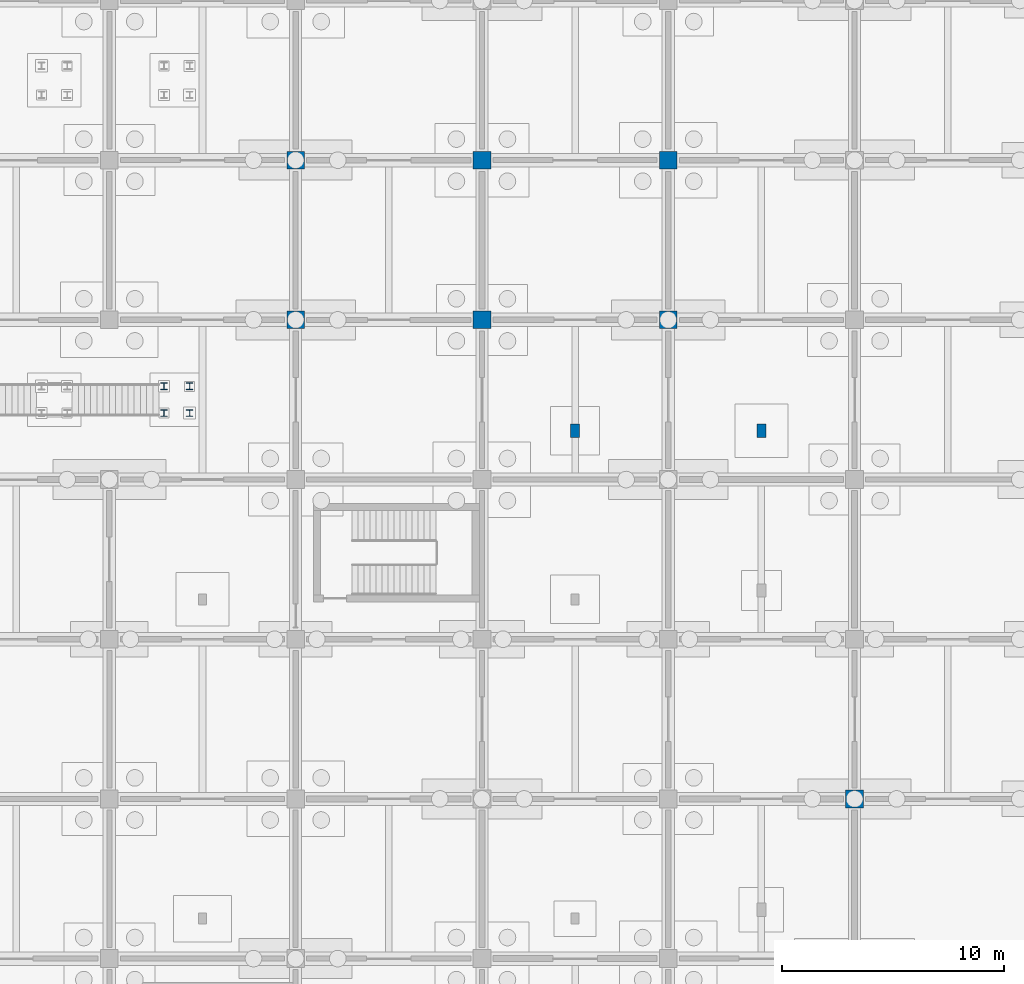
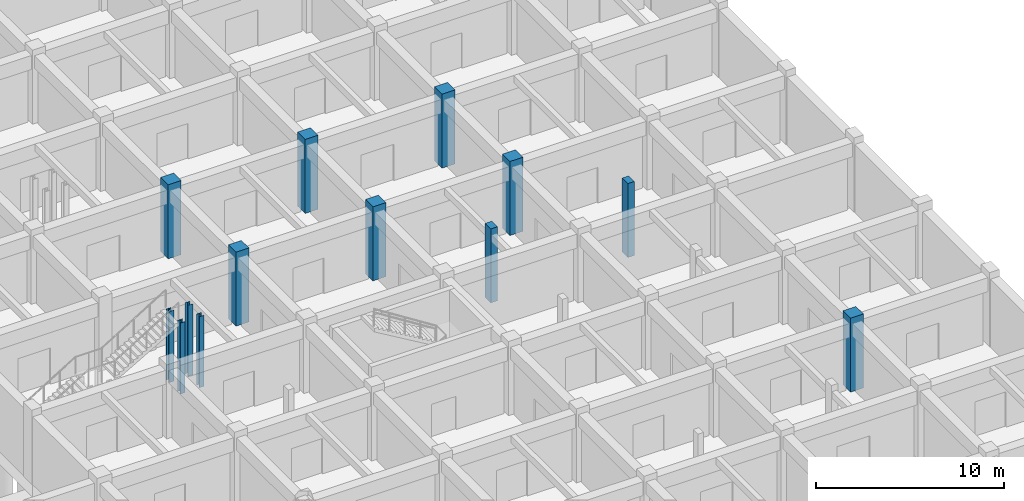
# One storey, part 14 of 38: 13 columns.
"""IFC4 building model written with IfcOpenShell, lengths in metres."""

from ifc_helpers import new_model, si_unit, derived_unit, direction, frame, origin, origin_2d, place, context, subcontext, project, spatial, rectangle, i_section, extrude, material, material_profile, profile_set, type_object, element, save


model = new_model("IFC4")

# Units and contexts
model_context = context("Model", 3, precision=1e-05, world=origin(), true_north=direction((0.0, 1.0)))
body_context = subcontext(model_context, "Body", "Model", "MODEL_VIEW")
ifc_project = project(units=[si_unit("LENGTHUNIT", "METRE"), si_unit("AREAUNIT", "SQUARE_METRE"), si_unit("VOLUMEUNIT", "CUBIC_METRE"), si_unit("PLANEANGLEUNIT", "RADIAN"), si_unit("MASSUNIT", "GRAM", prefix="KILO"), derived_unit("THERMALTRANSMITTANCEUNIT", [(si_unit("MASSUNIT", "GRAM", prefix="KILO"), 1), (si_unit("TIMEUNIT", "SECOND"), -3), (si_unit("THERMODYNAMICTEMPERATUREUNIT", "KELVIN"), -1)])], contexts=[model_context])

# Site, building, storey
site_placement = place(None, origin())
site = spatial("IfcSite", under=ifc_project, at=site_placement, CompositionType="ELEMENT")
building_placement = place(site_placement, origin())
building = spatial("IfcBuilding", under=site, at=building_placement, Name="Veldstrom Oceanarium and Marine Research Institute", CompositionType="ELEMENT")
storey_placement = place(building_placement, frame((0.0, 0.0, -9.60009765625)))
storey = spatial("IfcBuildingStorey", under=building, at=storey_placement, Name="B02", CompositionType="ELEMENT", Elevation=-9.60009765625)

# Columns
ifc_material_1 = material(Name="Concrete C50/60", Category="concrete")
ifc_material_profile_1 = material_profile(ifc_material_1, rectangle(XDim=0.800048828125, YDim=0.800048828125, at=origin_2d()), Name="RC-COL-800x800")
ifc_profile_set_1 = profile_set([ifc_material_profile_1], Name="Concrete C50/60")
column_type_1 = type_object("IfcColumnType", Name="STR-COL-C04", PredefinedType="COLUMN", material=ifc_profile_set_1)
for number, where, z_axis, x_axis, name in (
    (1, (134.39990234375, 86.39990234375, 0.0), (0.0, 0.0, 1.0), (1.0, 0.0, 0.0), "Column C04 17/N B02"),
    (2, (134.39990234375, 93.60009765625, 0.0), (0.0, 0.0, 1.0), (1.0, 0.0, 0.0), "Column C04 17/P B02"),
    (3, (142.800048828125, 86.39990234375, 0.0), (0.0, 0.0, 1.0), (1.0, 0.0, 0.0), "Column C04 18/N B02"),
    (4, (142.800048828125, 93.60009765625, 0.0), (0.0, 0.0, 1.0), (1.0, 0.0, 0.0), "Column C04 18/P B02"),
    (5, (151.199951171875, 86.39990234375, 0.0), (0.0, 0.0, 1.0), (1.0, 0.0, 0.0), "Column C04 19/N B02"),
    (6, (151.199951171875, 93.60009765625, 0.0), (0.0, 0.0, 1.0), (1.0, 0.0, 0.0), "Column C04 19/P B02"),
    (7, (159.60009765625, 64.800048828125, 0.0), (0.0, 0.0, 1.0), (1.0, 0.0, 0.0), "Column C04 20/K B02"),
):
    element("IfcColumn", number, at=place(storey_placement, frame(where, z_axis=z_axis, x_axis=x_axis)), inside=storey, type_object=column_type_1, Name=name, PredefinedType="COLUMN", context=body_context, shape_type="SweptSolid", body=[
        extrude(rectangle(XDim=0.800048828125, YDim=0.800048828125, at=origin_2d()), origin(), (0.0, 0.0, 1.0), 4.800048828125),
    ])
ifc_material_2 = material(Name="Steel S355JR", Category="steel")
ifc_material_profile_2 = material_profile(ifc_material_2, i_section(OverallWidth=0.300048828125, OverallDepth=0.300048828125, WebThickness=0.010986328125, FlangeThickness=0.01904296875, FilletRadius=0.027099609375, at=origin_2d()), Name="HEB 300")
ifc_profile_set_2 = profile_set([ifc_material_profile_2], Name="Steel S355JR")
column_type_2 = type_object("IfcColumnType", Name="STR-COL-C16", PredefinedType="COLUMN", material=ifc_profile_set_2)
for number, where, z_axis, x_axis, name in (
    (8, (128.4599609375, 82.195068359375, 0.0), (0.0, 0.0, 1.0), (1.0, 0.0, 0.0), "Gallery Stair TOP Column ST5-03-1"),
    (9, (129.6201171875, 82.195068359375, 0.0), (0.0, 0.0, 1.0), (1.0, 0.0, 0.0), "Gallery Stair TOP Column ST5-03-2"),
    (10, (128.4599609375, 83.405029296875, 0.0), (0.0, 0.0, 1.0), (1.0, 0.0, 0.0), "Gallery Stair TOP Column ST5-03-3"),
    (11, (129.6201171875, 83.405029296875, 0.0), (0.0, 0.0, 1.0), (1.0, 0.0, 0.0), "Gallery Stair TOP Column ST5-03-4"),
):
    element("IfcColumn", number, at=place(storey_placement, frame(where, z_axis=z_axis, x_axis=x_axis)), inside=storey, type_object=column_type_2, Name=name, PredefinedType="COLUMN", context=body_context, shape_type="SweptSolid", body=[
        extrude(i_section(OverallWidth=0.300048828125, OverallDepth=0.300048828125, WebThickness=0.010986328125, FlangeThickness=0.01904296875, FilletRadius=0.027099609375, at=origin_2d()), origin(), (0.0, 0.0, 1.0), 4.60009765625),
    ])
ifc_material_3 = material(Name="Concrete C50/60", Category="concrete")
ifc_material_profile_3 = material_profile(ifc_material_3, rectangle(XDim=0.39990234375, YDim=0.60009765625, at=origin_2d()), Name="RC-PIL-600x400")
ifc_profile_set_3 = profile_set([ifc_material_profile_3], Name="Concrete C50/60")
column_type_3 = type_object("IfcColumnType", Name="STR-PIL-PL1", PredefinedType="PILASTER", material=ifc_profile_set_3)
for number, where, z_axis, x_axis, name in (
    (12, (155.39990234375, 81.39990234375, 0.0), (0.0, 0.0, 1.0), (1.0, 0.0, 0.0), "Colonnade Pilaster 01 B02"),
    (13, (147.0, 81.39990234375, 0.0), (0.0, 0.0, 1.0), (1.0, 0.0, 0.0), "Colonnade Pilaster 02 B02"),
):
    element("IfcColumn", number, at=place(storey_placement, frame(where, z_axis=z_axis, x_axis=x_axis)), inside=storey, type_object=column_type_3, Name=name, PredefinedType="PILASTER", context=body_context, shape_type="SweptSolid", body=[
        extrude(rectangle(XDim=0.39990234375, YDim=0.60009765625, at=origin_2d()), origin(), (0.0, 0.0, 1.0), 4.800048828125),
    ])

save(model, "model.ifc")
